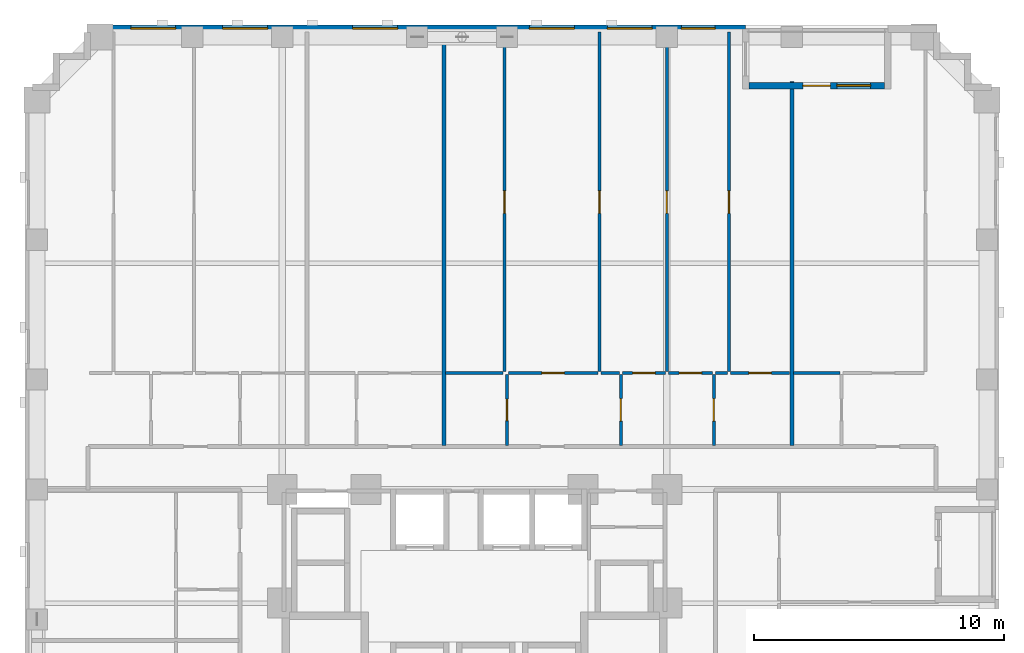
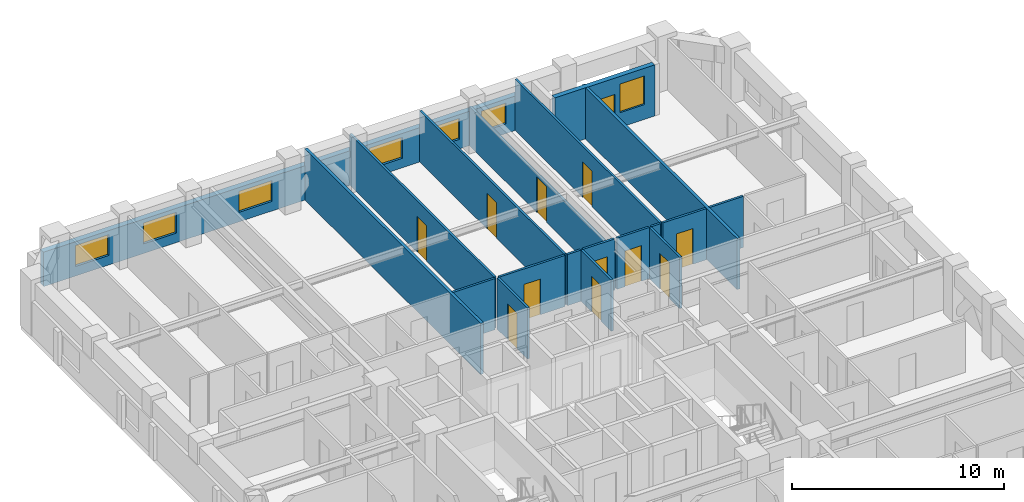
# One storey, part 8 of 14: 19 walls, 12 doors, 7 windows, 19 openings.
"""IFC4 building model written with IfcOpenShell, lengths in metres."""

from ifc_helpers import new_model, si_unit, derived_unit, direction, frame, frame_2d, origin, place, context, subcontext, project, spatial, rectangle, extrude, material, layer, layer_set, type_object, element, fill, save


model = new_model("IFC4")

# Units and contexts
model_context = context("Model", 3, precision=1e-05, world=origin(), true_north=direction((0.0, 1.0)))
body_context = subcontext(model_context, "Body", "Model", "MODEL_VIEW")
ifc_project = project(units=[si_unit("LENGTHUNIT", "METRE"), si_unit("AREAUNIT", "SQUARE_METRE"), si_unit("VOLUMEUNIT", "CUBIC_METRE"), si_unit("PLANEANGLEUNIT", "RADIAN"), si_unit("MASSUNIT", "GRAM", prefix="KILO"), derived_unit("THERMALTRANSMITTANCEUNIT", [(si_unit("MASSUNIT", "GRAM", prefix="KILO"), 1), (si_unit("TIMEUNIT", "SECOND"), -3), (si_unit("THERMODYNAMICTEMPERATUREUNIT", "KELVIN"), -1)])], contexts=[model_context])

# Site, building, storey
site_placement = place(None, origin())
site = spatial("IfcSite", under=ifc_project, at=site_placement, CompositionType="ELEMENT")
building_placement = place(site_placement, origin())
building = spatial("IfcBuilding", under=site, at=building_placement, Name="Korrvale Station Residences", CompositionType="ELEMENT")
storey_placement = place(building_placement, frame((0.0, 0.0, 61.0)))
storey = spatial("IfcBuildingStorey", under=building, at=storey_placement, Name="L16", CompositionType="ELEMENT", Elevation=61.0)

# Wall, openings, door, window
ifc_material_1 = material(Name="Precast concrete C45/55", Category="concrete")
ifc_layer_1 = layer(ifc_material_1, 0.260009765625, Name="Precast concrete C45/55")
ifc_layer_set_1 = layer_set([ifc_layer_1], Name="Precast concrete C45/55")
wall_type_1 = type_object("IfcWallType", Name="WAL-EXT-LOG260", PredefinedType="SOLIDWALL", material=ifc_layer_set_1)
wall_1_placement = place(storey_placement, frame((36.48388671875, 45.169921875, 0.0), z_axis=(0.0, 0.0, 1.0), x_axis=(1.0, 0.0, 0.0)))
wall_1 = element("IfcWall", 1, at=wall_1_placement, inside=storey, type_object=wall_type_1, Name="L16 Recessed Loggia Wall BAL-L16-N1-B", PredefinedType="SOLIDWALL", context=body_context, shape_type="SweptSolid", body=[
    extrude(rectangle(XDim=5.43212890625, YDim=0.260009765625, at=frame_2d((2.716064453125, 0.0))), origin(), (0.0, 0.0, 1.0), 2.93994140625),
])
opening_1_placement = place(wall_1_placement, frame((2.166015625, 0.0, 0.0)))
opening_1 = element("IfcOpeningElement", 2, at=opening_1_placement, cuts=wall_1, Name="Opening BD-01", PredefinedType="OPENING", context=body_context, shape_type="SweptSolid", body=[
    extrude(rectangle(XDim=1.10009765625, YDim=2.0, at=frame_2d((0.550048828125, 1.0))), frame((0.0, 0.14013671875, 0.0), z_axis=(0.0, -1.0, 0.0), x_axis=(1.0, 0.0, 0.0)), (0.0, 0.0, 1.0), 0.280029296875),
])
opening_2_placement = place(wall_1_placement, frame((3.52587890625, 0.0, 0.85009765625)))
opening_2 = element("IfcOpeningElement", 3, at=opening_2_placement, cuts=wall_1, Name="Opening W-06", PredefinedType="OPENING", context=body_context, shape_type="SweptSolid", body=[
    extrude(rectangle(XDim=1.35009765625, YDim=1.64990234375, at=frame_2d((0.675048828125, 0.824951171875))), frame((0.0, 0.14013671875, 0.0), z_axis=(0.0, -1.0, 0.0), x_axis=(1.0, 0.0, 0.0)), (0.0, 0.0, 1.0), 0.280029296875),
])
ifc_material_2 = material(Name="Exterior thermally broken aluminium glazed balcony door", Category="aluminium")
door_type_1 = type_object("IfcDoorType", Name="DR-EXT-BAL", OperationType="NOTDEFINED", PredefinedType="DOOR", material=ifc_material_2)
door_1_placement = place(opening_1_placement, origin())
door_1 = element("IfcDoor", 4, at=door_1_placement, inside=storey, type_object=door_type_1, Name="L16 Loggia Balcony Door BAL-L16-N1", OperationType="SINGLE_SWING_LEFT", OverallHeight=2.0, OverallWidth=1.10009765625, PredefinedType="DOOR", context=body_context, shape_type="SweptSolid", body=[
    extrude(rectangle(XDim=1.10009765625, YDim=2.0, at=frame_2d((0.550048828125, 1.0))), frame((0.0, 0.02490234375, 0.0), z_axis=(0.0, -1.0, 0.0), x_axis=(1.0, 0.0, 0.0)), (0.0, 0.0, 1.0), 0.050048828125),
])
fill(opening_1, door_1)
ifc_material_3 = material(Name="Thermally broken aluminium frame with triple low-e glazing", Category="aluminium")
window_type_1 = type_object("IfcWindowType", Name="WIN-W06", PartitioningType="SINGLE_PANEL", PredefinedType="WINDOW", material=ifc_material_3)
window_1_placement = place(opening_2_placement, origin())
window_1 = element("IfcWindow", 5, at=window_1_placement, inside=storey, type_object=window_type_1, Name="L16 Punched Window 22", OverallHeight=1.64990234375, OverallWidth=1.35009765625, PartitioningType="SINGLE_PANEL", PredefinedType="WINDOW", context=body_context, shape_type="SweptSolid", body=[
    extrude(rectangle(XDim=1.35009765625, YDim=1.64990234375, at=frame_2d((0.675048828125, 0.824951171875))), frame((0.0, 0.030029296875, 0.0), z_axis=(0.0, -1.0, 0.0), x_axis=(1.0, 0.0, 0.0)), (0.0, 0.0, 1.0), 0.06005859375),
])
fill(opening_2, window_1)

# Wall, openings, windows
ifc_layer_2 = layer(ifc_material_1, 0.300048828125, Name="Precast concrete C45/55")
ifc_layer_set_2 = layer_set([ifc_layer_2], Name="Precast concrete C45/55")
wall_type_2 = type_object("IfcWallType", Name="WAL-EXT-PC300", PredefinedType="SOLIDWALL", material=ifc_layer_set_2)
wall_2_placement = place(storey_placement, frame((10.0, 47.449951171875, 0.0), z_axis=(0.0, 0.0, 1.0), x_axis=(1.0, 0.0, 0.0)))
wall_2 = element("IfcWall", 6, at=wall_2_placement, inside=storey, type_object=wall_type_2, Name="L16 North Exterior Precast Wall 1", PredefinedType="SOLIDWALL", context=body_context, shape_type="SweptSolid", body=[
    extrude(rectangle(XDim=26.35009765625, YDim=0.300048828125, at=frame_2d((13.175048828125, 0.0))), origin(), (0.0, 0.0, 1.0), 1.97509765625),
])
opening_3_placement = place(wall_2_placement, frame((1.735107421875, 0.0, 0.550048828125)))
opening_3 = element("IfcOpeningElement", 7, at=opening_3_placement, cuts=wall_2, Name="Opening W-09", PredefinedType="OPENING", context=body_context, shape_type="SweptSolid", body=[
    extrude(rectangle(XDim=1.800048828125, YDim=1.199951171875, at=frame_2d((0.89990234375, 0.60009765625))), frame((0.0, 0.16015625, 0.0), z_axis=(0.0, -1.0, 0.0), x_axis=(1.0, 0.0, 0.0)), (0.0, 0.0, 1.0), 0.320068359375),
])
opening_4_placement = place(wall_2_placement, frame((5.4150390625, 0.0, 0.550048828125)))
opening_4 = element("IfcOpeningElement", 8, at=opening_4_placement, cuts=wall_2, Name="Opening W-09", PredefinedType="OPENING", context=body_context, shape_type="SweptSolid", body=[
    extrude(rectangle(XDim=1.800048828125, YDim=1.199951171875, at=frame_2d((0.89990234375, 0.60009765625))), frame((0.0, 0.16015625, 0.0), z_axis=(0.0, -1.0, 0.0), x_axis=(1.0, 0.0, 0.0)), (0.0, 0.0, 1.0), 0.320068359375),
])
opening_5_placement = place(wall_2_placement, frame((10.617919921875, 0.0, 0.550048828125)))
opening_5 = element("IfcOpeningElement", 9, at=opening_5_placement, cuts=wall_2, Name="Opening W-09", PredefinedType="OPENING", context=body_context, shape_type="SweptSolid", body=[
    extrude(rectangle(XDim=1.800048828125, YDim=1.199951171875, at=frame_2d((0.89990234375, 0.60009765625))), frame((0.0, 0.16015625, 0.0), z_axis=(0.0, -1.0, 0.0), x_axis=(1.0, 0.0, 0.0)), (0.0, 0.0, 1.0), 0.320068359375),
])
opening_6_placement = place(wall_2_placement, frame((17.696044921875, 0.0, 0.550048828125)))
opening_6 = element("IfcOpeningElement", 10, at=opening_6_placement, cuts=wall_2, Name="Opening W-09", PredefinedType="OPENING", context=body_context, shape_type="SweptSolid", body=[
    extrude(rectangle(XDim=1.800048828125, YDim=1.199951171875, at=frame_2d((0.89990234375, 0.60009765625))), frame((0.0, 0.16015625, 0.0), z_axis=(0.0, -1.0, 0.0), x_axis=(1.0, 0.0, 0.0)), (0.0, 0.0, 1.0), 0.320068359375),
])
opening_7_placement = place(wall_2_placement, frame((20.81494140625, 0.0, 0.550048828125)))
opening_7 = element("IfcOpeningElement", 11, at=opening_7_placement, cuts=wall_2, Name="Opening W-09", PredefinedType="OPENING", context=body_context, shape_type="SweptSolid", body=[
    extrude(rectangle(XDim=1.800048828125, YDim=1.199951171875, at=frame_2d((0.89990234375, 0.60009765625))), frame((0.0, 0.16015625, 0.0), z_axis=(0.0, -1.0, 0.0), x_axis=(1.0, 0.0, 0.0)), (0.0, 0.0, 1.0), 0.320068359375),
])
opening_8_placement = place(wall_2_placement, frame((23.784912109375, 0.0, 0.550048828125)))
opening_8 = element("IfcOpeningElement", 12, at=opening_8_placement, cuts=wall_2, Name="Opening W-10", PredefinedType="OPENING", context=body_context, shape_type="SweptSolid", body=[
    extrude(rectangle(XDim=1.35009765625, YDim=1.199951171875, at=frame_2d((0.675048828125, 0.60009765625))), frame((0.0, 0.16015625, 0.0), z_axis=(0.0, -1.0, 0.0), x_axis=(1.0, 0.0, 0.0)), (0.0, 0.0, 1.0), 0.320068359375),
])
window_type_2 = type_object("IfcWindowType", Name="WIN-W09", PartitioningType="DOUBLE_PANEL_VERTICAL", PredefinedType="WINDOW", material=ifc_material_3)
window_2_placement = place(opening_3_placement, origin())
window_2 = element("IfcWindow", 13, at=window_2_placement, inside=storey, type_object=window_type_2, Name="L16 Punched Window 15", OverallHeight=1.199951171875, OverallWidth=1.800048828125, PartitioningType="DOUBLE_PANEL_VERTICAL", PredefinedType="WINDOW", context=body_context, shape_type="SweptSolid", body=[
    extrude(rectangle(XDim=1.800048828125, YDim=1.199951171875, at=frame_2d((0.89990234375, 0.60009765625))), frame((0.0, 0.030029296875, 0.0), z_axis=(0.0, -1.0, 0.0), x_axis=(1.0, 0.0, 0.0)), (0.0, 0.0, 1.0), 0.06005859375),
])
fill(opening_3, window_2)
window_3_placement = place(opening_4_placement, origin())
window_3 = element("IfcWindow", 14, at=window_3_placement, inside=storey, type_object=window_type_2, Name="L16 Punched Window 16", OverallHeight=1.199951171875, OverallWidth=1.800048828125, PartitioningType="DOUBLE_PANEL_VERTICAL", PredefinedType="WINDOW", context=body_context, shape_type="SweptSolid", body=[
    extrude(rectangle(XDim=1.800048828125, YDim=1.199951171875, at=frame_2d((0.89990234375, 0.60009765625))), frame((0.0, 0.030029296875, 0.0), z_axis=(0.0, -1.0, 0.0), x_axis=(1.0, 0.0, 0.0)), (0.0, 0.0, 1.0), 0.06005859375),
])
fill(opening_4, window_3)
window_4_placement = place(opening_5_placement, origin())
window_4 = element("IfcWindow", 15, at=window_4_placement, inside=storey, type_object=window_type_2, Name="L16 Punched Window 17", OverallHeight=1.199951171875, OverallWidth=1.800048828125, PartitioningType="DOUBLE_PANEL_VERTICAL", PredefinedType="WINDOW", context=body_context, shape_type="SweptSolid", body=[
    extrude(rectangle(XDim=1.800048828125, YDim=1.199951171875, at=frame_2d((0.89990234375, 0.60009765625))), frame((0.0, 0.030029296875, 0.0), z_axis=(0.0, -1.0, 0.0), x_axis=(1.0, 0.0, 0.0)), (0.0, 0.0, 1.0), 0.06005859375),
])
fill(opening_5, window_4)
window_5_placement = place(opening_6_placement, origin())
window_5 = element("IfcWindow", 16, at=window_5_placement, inside=storey, type_object=window_type_2, Name="L16 Punched Window 18", OverallHeight=1.199951171875, OverallWidth=1.800048828125, PartitioningType="DOUBLE_PANEL_VERTICAL", PredefinedType="WINDOW", context=body_context, shape_type="SweptSolid", body=[
    extrude(rectangle(XDim=1.800048828125, YDim=1.199951171875, at=frame_2d((0.89990234375, 0.60009765625))), frame((0.0, 0.030029296875, 0.0), z_axis=(0.0, -1.0, 0.0), x_axis=(1.0, 0.0, 0.0)), (0.0, 0.0, 1.0), 0.06005859375),
])
fill(opening_6, window_5)
window_6_placement = place(opening_7_placement, origin())
window_6 = element("IfcWindow", 17, at=window_6_placement, inside=storey, type_object=window_type_2, Name="L16 Punched Window 19", OverallHeight=1.199951171875, OverallWidth=1.800048828125, PartitioningType="DOUBLE_PANEL_VERTICAL", PredefinedType="WINDOW", context=body_context, shape_type="SweptSolid", body=[
    extrude(rectangle(XDim=1.800048828125, YDim=1.199951171875, at=frame_2d((0.89990234375, 0.60009765625))), frame((0.0, 0.030029296875, 0.0), z_axis=(0.0, -1.0, 0.0), x_axis=(1.0, 0.0, 0.0)), (0.0, 0.0, 1.0), 0.06005859375),
])
fill(opening_7, window_6)
window_type_3 = type_object("IfcWindowType", Name="WIN-W10", PartitioningType="SINGLE_PANEL", PredefinedType="WINDOW", material=ifc_material_3)
window_7_placement = place(opening_8_placement, origin())
window_7 = element("IfcWindow", 18, at=window_7_placement, inside=storey, type_object=window_type_3, Name="L16 Punched Window 20", OverallHeight=1.199951171875, OverallWidth=1.35009765625, PartitioningType="SINGLE_PANEL", PredefinedType="WINDOW", context=body_context, shape_type="SweptSolid", body=[
    extrude(rectangle(XDim=1.35009765625, YDim=1.199951171875, at=frame_2d((0.675048828125, 0.60009765625))), frame((0.0, 0.030029296875, 0.0), z_axis=(0.0, -1.0, 0.0), x_axis=(1.0, 0.0, 0.0)), (0.0, 0.0, 1.0), 0.06005859375),
])
fill(opening_8, window_7)

# Wall, opening, door
ifc_material_4 = material(Name="Acoustic steel-stud gypsum board partition", Category="steel")
ifc_layer_3 = layer(ifc_material_4, 0.1201171875, Name="Acoustic steel-stud gypsum board partition")
ifc_layer_set_3 = layer_set([ifc_layer_3], Name="Acoustic steel-stud gypsum board partition")
wall_type_3 = type_object("IfcWallType", Name="WAL-PART-125", PredefinedType="PARTITIONING", material=ifc_layer_set_3)
wall_3_placement = place(storey_placement, frame((26.799072265625, 30.760009765625, 0.0), z_axis=(0.0, 0.0, 1.0), x_axis=(0.0, 1.0, 0.0)))
wall_3 = element("IfcWall", 19, at=wall_3_placement, inside=storey, type_object=wall_type_3, Name="L16 Suite Partition U05-V01", PredefinedType="PARTITIONING", context=body_context, shape_type="SweptSolid", body=[
    extrude(rectangle(XDim=2.85009765625, YDim=0.1201171875, at=frame_2d((1.425048828125, 0.0))), origin(), (0.0, 0.0, 1.0), 2.93994140625),
])
opening_9_placement = place(wall_3_placement, frame((0.9951171875, 0.0, 0.0)))
opening_9 = element("IfcOpeningElement", 20, at=opening_9_placement, cuts=wall_3, Name="Opening DB-860", PredefinedType="OPENING", context=body_context, shape_type="SweptSolid", body=[
    extrude(rectangle(XDim=0.860107421875, YDim=2.050048828125, at=frame_2d((0.43017578125, 1.02490234375))), frame((0.0, 0.070068359375, 0.0), z_axis=(0.0, -1.0, 0.0), x_axis=(1.0, 0.0, 0.0)), (0.0, 0.0, 1.0), 0.14013671875),
])
ifc_material_5 = material(Name="Moisture-resistant solid-core bathroom door", Category="timber")
door_type_2 = type_object("IfcDoorType", Name="DR-BATH-860", OperationType="NOTDEFINED", PredefinedType="DOOR", material=ifc_material_5)
door_2_placement = place(opening_9_placement, origin())
door_2 = element("IfcDoor", 21, at=door_2_placement, inside=storey, type_object=door_type_2, Name="L16 Apartment 3BR L16-U05 Bathroom Door", OperationType="SINGLE_SWING_RIGHT", OverallHeight=2.050048828125, OverallWidth=0.860107421875, PredefinedType="DOOR", context=body_context, shape_type="SweptSolid", body=[
    extrude(rectangle(XDim=0.860107421875, YDim=2.050048828125, at=frame_2d((0.43017578125, 1.02490234375))), frame((0.0, 0.02490234375, 0.0), z_axis=(0.0, -1.0, 0.0), x_axis=(1.0, 0.0, 0.0)), (0.0, 0.0, 1.0), 0.050048828125),
])
fill(opening_9, door_2)

# Wall
wall_4_placement = place(storey_placement, frame((24.339111328125, 33.669921875, 0.0), z_axis=(0.0, 0.0, 1.0), x_axis=(1.0, 0.0, 0.0)))
element("IfcWall", 22, at=wall_4_placement, inside=storey, type_object=wall_type_3, Name="L16 Suite Partition U05-H04", PredefinedType="PARTITIONING", context=body_context, shape_type="SweptSolid", body=[
    extrude(rectangle(XDim=2.2998046875, YDim=0.1201171875, at=frame_2d((1.14990234375, 0.0))), origin(), (0.0, 0.0, 1.0), 2.93994140625),
])

# Wall, opening, door
wall_5_placement = place(storey_placement, frame((31.35888671875, 30.760009765625, 0.0), z_axis=(0.0, 0.0, 1.0), x_axis=(0.0, 1.0, 0.0)))
wall_5 = element("IfcWall", 23, at=wall_5_placement, inside=storey, type_object=wall_type_3, Name="L16 Suite Partition U05-V12", PredefinedType="PARTITIONING", context=body_context, shape_type="SweptSolid", body=[
    extrude(rectangle(XDim=2.85009765625, YDim=0.1201171875, at=frame_2d((1.425048828125, 0.0))), origin(), (0.0, 0.0, 1.0), 2.93994140625),
])
opening_10_placement = place(wall_5_placement, frame((0.97509765625, 0.0, 0.0)))
opening_10 = element("IfcOpeningElement", 24, at=opening_10_placement, cuts=wall_5, Name="Opening DI-900", PredefinedType="OPENING", context=body_context, shape_type="SweptSolid", body=[
    extrude(rectangle(XDim=0.89990234375, YDim=2.050048828125, at=frame_2d((0.449951171875, 1.02490234375))), frame((0.0, 0.070068359375, 0.0), z_axis=(0.0, -1.0, 0.0), x_axis=(1.0, 0.0, 0.0)), (0.0, 0.0, 1.0), 0.14013671875),
])
ifc_material_6 = material(Name="Painted solid-core timber interior room door", Category="wood")
door_type_3 = type_object("IfcDoorType", Name="DR-INT-900", OperationType="NOTDEFINED", PredefinedType="DOOR", material=ifc_material_6)
door_3_placement = place(opening_10_placement, origin())
door_3 = element("IfcDoor", 25, at=door_3_placement, inside=storey, type_object=door_type_3, Name="L16 Apartment 3BR L16-U05 Kitchen Door", OperationType="SINGLE_SWING_LEFT", OverallHeight=2.050048828125, OverallWidth=0.89990234375, PredefinedType="DOOR", context=body_context, shape_type="SweptSolid", body=[
    extrude(rectangle(XDim=0.89990234375, YDim=2.050048828125, at=frame_2d((0.449951171875, 1.02490234375))), frame((0.0, 0.02490234375, 0.0), z_axis=(0.0, -1.0, 0.0), x_axis=(1.0, 0.0, 0.0)), (0.0, 0.0, 1.0), 0.050048828125),
])
fill(opening_10, door_3)

wall_6_placement = place(storey_placement, frame((26.85888671875, 33.669921875, 0.0), z_axis=(0.0, 0.0, 1.0), x_axis=(1.0, 0.0, 0.0)))
wall_6 = element("IfcWall", 26, at=wall_6_placement, inside=storey, type_object=wall_type_3, Name="L16 Suite Partition U05-H15", PredefinedType="PARTITIONING", context=body_context, shape_type="SweptSolid", body=[
    extrude(rectangle(XDim=3.580078125, YDim=0.1201171875, at=frame_2d((1.7900390625, 0.0))), origin(), (0.0, 0.0, 1.0), 2.93994140625),
])
opening_11_placement = place(wall_6_placement, frame((1.340087890625, 0.0, 0.0)))
opening_11 = element("IfcOpeningElement", 27, at=opening_11_placement, cuts=wall_6, Name="Opening DI-900", PredefinedType="OPENING", context=body_context, shape_type="SweptSolid", body=[
    extrude(rectangle(XDim=0.89990234375, YDim=2.050048828125, at=frame_2d((0.449951171875, 1.02490234375))), frame((0.0, 0.070068359375, 0.0), z_axis=(0.0, -1.0, 0.0), x_axis=(1.0, 0.0, 0.0)), (0.0, 0.0, 1.0), 0.14013671875),
])
door_4_placement = place(opening_11_placement, origin())
door_4 = element("IfcDoor", 28, at=door_4_placement, inside=storey, type_object=door_type_3, Name="L16 Apartment 3BR L16-U05 Kitchen Door", OperationType="SINGLE_SWING_RIGHT", OverallHeight=2.050048828125, OverallWidth=0.89990234375, PredefinedType="DOOR", context=body_context, shape_type="SweptSolid", body=[
    extrude(rectangle(XDim=0.89990234375, YDim=2.050048828125, at=frame_2d((0.449951171875, 1.02490234375))), frame((0.0, 0.02490234375, 0.0), z_axis=(0.0, -1.0, 0.0), x_axis=(1.0, 0.0, 0.0)), (0.0, 0.0, 1.0), 0.050048828125),
])
fill(opening_11, door_4)

# Wall
wall_7_placement = place(storey_placement, frame((30.55908203125, 33.669921875, 0.0), z_axis=(0.0, 0.0, 1.0), x_axis=(1.0, 0.0, 0.0)))
element("IfcWall", 29, at=wall_7_placement, inside=storey, type_object=wall_type_3, Name="L16 Suite Partition U05-H16", PredefinedType="PARTITIONING", context=body_context, shape_type="SweptSolid", body=[
    extrude(rectangle(XDim=0.739990234375, YDim=0.1201171875, at=frame_2d((0.3701171875, 0.0))), origin(), (0.0, 0.0, 1.0), 2.93994140625),
])

# Wall, opening, door
wall_8_placement = place(storey_placement, frame((35.0791015625, 30.760009765625, 0.0), z_axis=(0.0, 0.0, 1.0), x_axis=(0.0, 1.0, 0.0)))
wall_8 = element("IfcWall", 30, at=wall_8_placement, inside=storey, type_object=wall_type_3, Name="L16 Suite Partition U05-V23", PredefinedType="PARTITIONING", context=body_context, shape_type="SweptSolid", body=[
    extrude(rectangle(XDim=2.85009765625, YDim=0.1201171875, at=frame_2d((1.425048828125, 0.0))), origin(), (0.0, 0.0, 1.0), 2.93994140625),
])
opening_12_placement = place(wall_8_placement, frame((0.97509765625, 0.0, 0.0)))
opening_12 = element("IfcOpeningElement", 31, at=opening_12_placement, cuts=wall_8, Name="Opening DI-900", PredefinedType="OPENING", context=body_context, shape_type="SweptSolid", body=[
    extrude(rectangle(XDim=0.89990234375, YDim=2.050048828125, at=frame_2d((0.449951171875, 1.02490234375))), frame((0.0, 0.070068359375, 0.0), z_axis=(0.0, -1.0, 0.0), x_axis=(1.0, 0.0, 0.0)), (0.0, 0.0, 1.0), 0.14013671875),
])
door_5_placement = place(opening_12_placement, origin())
door_5 = element("IfcDoor", 32, at=door_5_placement, inside=storey, type_object=door_type_3, Name="L16 Apartment 3BR L16-U05 Utility and Laundry Room Door", OperationType="SINGLE_SWING_LEFT", OverallHeight=2.050048828125, OverallWidth=0.89990234375, PredefinedType="DOOR", context=body_context, shape_type="SweptSolid", body=[
    extrude(rectangle(XDim=0.89990234375, YDim=2.050048828125, at=frame_2d((0.449951171875, 1.02490234375))), frame((0.0, 0.02490234375, 0.0), z_axis=(0.0, -1.0, 0.0), x_axis=(1.0, 0.0, 0.0)), (0.0, 0.0, 1.0), 0.050048828125),
])
fill(opening_12, door_5)

wall_9_placement = place(storey_placement, frame((31.4189453125, 33.669921875, 0.0), z_axis=(0.0, 0.0, 1.0), x_axis=(1.0, 0.0, 0.0)))
wall_9 = element("IfcWall", 33, at=wall_9_placement, inside=storey, type_object=wall_type_3, Name="L16 Suite Partition U05-H26", PredefinedType="PARTITIONING", context=body_context, shape_type="SweptSolid", body=[
    extrude(rectangle(XDim=1.720947265625, YDim=0.1201171875, at=frame_2d((0.8603515625, 0.0))), origin(), (0.0, 0.0, 1.0), 2.93994140625),
])
opening_13_placement = place(wall_9_placement, frame((0.410888671875, 0.0, 0.0)))
opening_13 = element("IfcOpeningElement", 34, at=opening_13_placement, cuts=wall_9, Name="Opening DI-900", PredefinedType="OPENING", context=body_context, shape_type="SweptSolid", body=[
    extrude(rectangle(XDim=0.89990234375, YDim=2.050048828125, at=frame_2d((0.449951171875, 1.02490234375))), frame((0.0, 0.070068359375, 0.0), z_axis=(0.0, -1.0, 0.0), x_axis=(1.0, 0.0, 0.0)), (0.0, 0.0, 1.0), 0.14013671875),
])
door_6_placement = place(opening_13_placement, origin())
door_6 = element("IfcDoor", 35, at=door_6_placement, inside=storey, type_object=door_type_3, Name="L16 Apartment 3BR L16-U05 Utility and Laundry Room Door", OperationType="SINGLE_SWING_RIGHT", OverallHeight=2.050048828125, OverallWidth=0.89990234375, PredefinedType="DOOR", context=body_context, shape_type="SweptSolid", body=[
    extrude(rectangle(XDim=0.89990234375, YDim=2.050048828125, at=frame_2d((0.449951171875, 1.02490234375))), frame((0.0, 0.02490234375, 0.0), z_axis=(0.0, -1.0, 0.0), x_axis=(1.0, 0.0, 0.0)), (0.0, 0.0, 1.0), 0.050048828125),
])
fill(opening_13, door_6)

wall_10_placement = place(storey_placement, frame((33.260009765625, 33.669921875, 0.0), z_axis=(0.0, 0.0, 1.0), x_axis=(1.0, 0.0, 0.0)))
wall_10 = element("IfcWall", 36, at=wall_10_placement, inside=storey, type_object=wall_type_3, Name="L16 Suite Partition U05-H27", PredefinedType="PARTITIONING", context=body_context, shape_type="SweptSolid", body=[
    extrude(rectangle(XDim=1.759033203125, YDim=0.1201171875, at=frame_2d((0.87939453125, 0.0))), origin(), (0.0, 0.0, 1.0), 2.93994140625),
])
opening_14_placement = place(wall_10_placement, frame((0.428955078125, 0.0, 0.0)))
opening_14 = element("IfcOpeningElement", 37, at=opening_14_placement, cuts=wall_10, Name="Opening DI-900", PredefinedType="OPENING", context=body_context, shape_type="SweptSolid", body=[
    extrude(rectangle(XDim=0.89990234375, YDim=2.050048828125, at=frame_2d((0.449951171875, 1.02490234375))), frame((0.0, 0.070068359375, 0.0), z_axis=(0.0, -1.0, 0.0), x_axis=(1.0, 0.0, 0.0)), (0.0, 0.0, 1.0), 0.14013671875),
])
door_7_placement = place(opening_14_placement, origin())
door_7 = element("IfcDoor", 38, at=door_7_placement, inside=storey, type_object=door_type_3, Name="L16 Apartment 3BR L16-U05 Utility and Laundry Room Door", OperationType="SINGLE_SWING_LEFT", OverallHeight=2.050048828125, OverallWidth=0.89990234375, PredefinedType="DOOR", context=body_context, shape_type="SweptSolid", body=[
    extrude(rectangle(XDim=0.89990234375, YDim=2.050048828125, at=frame_2d((0.449951171875, 1.02490234375))), frame((0.0, 0.02490234375, 0.0), z_axis=(0.0, -1.0, 0.0), x_axis=(1.0, 0.0, 0.0)), (0.0, 0.0, 1.0), 0.050048828125),
])
fill(opening_14, door_7)

# Wall
wall_11_placement = place(storey_placement, frame((35.138916015625, 33.669921875, 0.0), z_axis=(0.0, 0.0, 1.0), x_axis=(1.0, 0.0, 0.0)))
element("IfcWall", 39, at=wall_11_placement, inside=storey, type_object=wall_type_3, Name="L16 Suite Partition U05-H37", PredefinedType="PARTITIONING", context=body_context, shape_type="SweptSolid", body=[
    extrude(rectangle(XDim=0.490966796875, YDim=0.1201171875, at=frame_2d((0.24560546875, 0.0))), origin(), (0.0, 0.0, 1.0), 2.93994140625),
])

# Wall, opening, door
wall_12_placement = place(storey_placement, frame((35.75, 33.669921875, 0.0), z_axis=(0.0, 0.0, 1.0), x_axis=(1.0, 0.0, 0.0)))
wall_12 = element("IfcWall", 40, at=wall_12_placement, inside=storey, type_object=wall_type_3, Name="L16 Suite Partition U05-H38", PredefinedType="PARTITIONING", context=body_context, shape_type="SweptSolid", body=[
    extrude(rectangle(XDim=2.3701171875, YDim=0.1201171875, at=frame_2d((1.18505859375, 0.0))), origin(), (0.0, 0.0, 1.0), 2.93994140625),
])
opening_15_placement = place(wall_12_placement, frame((0.735107421875, 0.0, 0.0)))
opening_15 = element("IfcOpeningElement", 41, at=opening_15_placement, cuts=wall_12, Name="Opening DI-900", PredefinedType="OPENING", context=body_context, shape_type="SweptSolid", body=[
    extrude(rectangle(XDim=0.89990234375, YDim=2.050048828125, at=frame_2d((0.449951171875, 1.02490234375))), frame((0.0, 0.070068359375, 0.0), z_axis=(0.0, -1.0, 0.0), x_axis=(1.0, 0.0, 0.0)), (0.0, 0.0, 1.0), 0.14013671875),
])
door_8_placement = place(opening_15_placement, origin())
door_8 = element("IfcDoor", 42, at=door_8_placement, inside=storey, type_object=door_type_3, Name="L16 Apartment 3BR L16-U05 Storage Closet 2 Door", OperationType="SINGLE_SWING_RIGHT", OverallHeight=2.050048828125, OverallWidth=0.89990234375, PredefinedType="DOOR", context=body_context, shape_type="SweptSolid", body=[
    extrude(rectangle(XDim=0.89990234375, YDim=2.050048828125, at=frame_2d((0.449951171875, 1.02490234375))), frame((0.0, 0.02490234375, 0.0), z_axis=(0.0, -1.0, 0.0), x_axis=(1.0, 0.0, 0.0)), (0.0, 0.0, 1.0), 0.050048828125),
])
fill(opening_15, door_8)

wall_13_placement = place(storey_placement, frame((26.698974609375, 33.72998046875, 0.0), z_axis=(0.0, 0.0, 1.0), x_axis=(0.0, 1.0, 0.0)))
wall_13 = element("IfcWall", 43, at=wall_13_placement, inside=storey, type_object=wall_type_3, Name="L16 Suite Partition U05-V45", PredefinedType="PARTITIONING", context=body_context, shape_type="SweptSolid", body=[
    extrude(rectangle(XDim=13.590087890625, YDim=0.1201171875, at=frame_2d((6.794921875, 0.0))), origin(), (0.0, 0.0, 1.0), 2.93994140625),
])
opening_16_placement = place(wall_13_placement, frame((6.330078125, 0.0, 0.0)))
opening_16 = element("IfcOpeningElement", 44, at=opening_16_placement, cuts=wall_13, Name="Opening DI-900", PredefinedType="OPENING", context=body_context, shape_type="SweptSolid", body=[
    extrude(rectangle(XDim=0.89990234375, YDim=2.050048828125, at=frame_2d((0.449951171875, 1.02490234375))), frame((0.0, 0.070068359375, 0.0), z_axis=(0.0, -1.0, 0.0), x_axis=(1.0, 0.0, 0.0)), (0.0, 0.0, 1.0), 0.14013671875),
])
door_9_placement = place(opening_16_placement, origin())
door_9 = element("IfcDoor", 45, at=door_9_placement, inside=storey, type_object=door_type_3, Name="L16 Apartment 3BR L16-U05 Wardrobe Storage Room Door", OperationType="SINGLE_SWING_LEFT", OverallHeight=2.050048828125, OverallWidth=0.89990234375, PredefinedType="DOOR", context=body_context, shape_type="SweptSolid", body=[
    extrude(rectangle(XDim=0.89990234375, YDim=2.050048828125, at=frame_2d((0.449951171875, 1.02490234375))), frame((0.0, 0.02490234375, 0.0), z_axis=(0.0, -1.0, 0.0), x_axis=(1.0, 0.0, 0.0)), (0.0, 0.0, 1.0), 0.050048828125),
])
fill(opening_16, door_9)

wall_14_placement = place(storey_placement, frame((30.4990234375, 33.72998046875, 0.0), z_axis=(0.0, 0.0, 1.0), x_axis=(0.0, 1.0, 0.0)))
wall_14 = element("IfcWall", 46, at=wall_14_placement, inside=storey, type_object=wall_type_3, Name="L16 Suite Partition U05-V56", PredefinedType="PARTITIONING", context=body_context, shape_type="SweptSolid", body=[
    extrude(rectangle(XDim=13.590087890625, YDim=0.1201171875, at=frame_2d((6.794921875, 0.0))), origin(), (0.0, 0.0, 1.0), 2.93994140625),
])
opening_17_placement = place(wall_14_placement, frame((6.330078125, 0.0, 0.0)))
opening_17 = element("IfcOpeningElement", 47, at=opening_17_placement, cuts=wall_14, Name="Opening DI-900", PredefinedType="OPENING", context=body_context, shape_type="SweptSolid", body=[
    extrude(rectangle(XDim=0.89990234375, YDim=2.050048828125, at=frame_2d((0.449951171875, 1.02490234375))), frame((0.0, 0.070068359375, 0.0), z_axis=(0.0, -1.0, 0.0), x_axis=(1.0, 0.0, 0.0)), (0.0, 0.0, 1.0), 0.14013671875),
])
door_10_placement = place(opening_17_placement, origin())
door_10 = element("IfcDoor", 48, at=door_10_placement, inside=storey, type_object=door_type_3, Name="L16 Apartment 3BR L16-U05 Living and Dining Room Door", OperationType="SINGLE_SWING_RIGHT", OverallHeight=2.050048828125, OverallWidth=0.89990234375, PredefinedType="DOOR", context=body_context, shape_type="SweptSolid", body=[
    extrude(rectangle(XDim=0.89990234375, YDim=2.050048828125, at=frame_2d((0.449951171875, 1.02490234375))), frame((0.0, 0.02490234375, 0.0), z_axis=(0.0, -1.0, 0.0), x_axis=(1.0, 0.0, 0.0)), (0.0, 0.0, 1.0), 0.050048828125),
])
fill(opening_17, door_10)

wall_15_placement = place(storey_placement, frame((33.199951171875, 33.72998046875, 0.0), z_axis=(0.0, 0.0, 1.0), x_axis=(0.0, 1.0, 0.0)))
wall_15 = element("IfcWall", 49, at=wall_15_placement, inside=storey, type_object=wall_type_3, Name="L16 Suite Partition U05-V67", PredefinedType="PARTITIONING", context=body_context, shape_type="SweptSolid", body=[
    extrude(rectangle(XDim=13.590087890625, YDim=0.1201171875, at=frame_2d((6.794921875, 0.0))), origin(), (0.0, 0.0, 1.0), 2.23193359375),
])
opening_18_placement = place(wall_15_placement, frame((6.330078125, 0.0, 0.0)))
opening_18 = element("IfcOpeningElement", 50, at=opening_18_placement, cuts=wall_15, Name="Opening DI-900", PredefinedType="OPENING", context=body_context, shape_type="SweptSolid", body=[
    extrude(rectangle(XDim=0.89990234375, YDim=2.050048828125, at=frame_2d((0.449951171875, 1.02490234375))), frame((0.0, 0.070068359375, 0.0), z_axis=(0.0, -1.0, 0.0), x_axis=(1.0, 0.0, 0.0)), (0.0, 0.0, 1.0), 0.14013671875),
])
door_11_placement = place(opening_18_placement, origin())
door_11 = element("IfcDoor", 51, at=door_11_placement, inside=storey, type_object=door_type_3, Name="L16 Apartment 3BR L16-U05 Bedroom 1 Door", OperationType="SINGLE_SWING_LEFT", OverallHeight=2.050048828125, OverallWidth=0.89990234375, PredefinedType="DOOR", context=body_context, shape_type="SweptSolid", body=[
    extrude(rectangle(XDim=0.89990234375, YDim=2.050048828125, at=frame_2d((0.449951171875, 1.02490234375))), frame((0.0, 0.02490234375, 0.0), z_axis=(0.0, -1.0, 0.0), x_axis=(1.0, 0.0, 0.0)), (0.0, 0.0, 1.0), 0.050048828125),
])
fill(opening_18, door_11)

wall_16_placement = place(storey_placement, frame((35.68994140625, 33.72998046875, 0.0), z_axis=(0.0, 0.0, 1.0), x_axis=(0.0, 1.0, 0.0)))
wall_16 = element("IfcWall", 52, at=wall_16_placement, inside=storey, type_object=wall_type_3, Name="L16 Suite Partition U05-V78", PredefinedType="PARTITIONING", context=body_context, shape_type="SweptSolid", body=[
    extrude(rectangle(XDim=13.590087890625, YDim=0.1201171875, at=frame_2d((6.794921875, 0.0))), origin(), (0.0, 0.0, 1.0), 2.93994140625),
])
opening_19_placement = place(wall_16_placement, frame((6.330078125, 0.0, 0.0)))
opening_19 = element("IfcOpeningElement", 53, at=opening_19_placement, cuts=wall_16, Name="Opening DI-900", PredefinedType="OPENING", context=body_context, shape_type="SweptSolid", body=[
    extrude(rectangle(XDim=0.89990234375, YDim=2.050048828125, at=frame_2d((0.449951171875, 1.02490234375))), frame((0.0, 0.070068359375, 0.0), z_axis=(0.0, -1.0, 0.0), x_axis=(1.0, 0.0, 0.0)), (0.0, 0.0, 1.0), 0.14013671875),
])
door_12_placement = place(opening_19_placement, origin())
door_12 = element("IfcDoor", 54, at=door_12_placement, inside=storey, type_object=door_type_3, Name="L16 Apartment 3BR L16-U05 Bedroom 2 Door", OperationType="SINGLE_SWING_RIGHT", OverallHeight=2.050048828125, OverallWidth=0.89990234375, PredefinedType="DOOR", context=body_context, shape_type="SweptSolid", body=[
    extrude(rectangle(XDim=0.89990234375, YDim=2.050048828125, at=frame_2d((0.449951171875, 1.02490234375))), frame((0.0, 0.02490234375, 0.0), z_axis=(0.0, -1.0, 0.0), x_axis=(1.0, 0.0, 0.0)), (0.0, 0.0, 1.0), 0.050048828125),
])
fill(opening_19, door_12)

# Walls
wall_17_placement = place(storey_placement, frame((38.280029296875, 33.669921875, 0.0), z_axis=(0.0, 0.0, 1.0), x_axis=(1.0, 0.0, 0.0)))
element("IfcWall", 55, at=wall_17_placement, inside=storey, type_object=wall_type_3, Name="L16 Suite Partition U06-H02", PredefinedType="PARTITIONING", context=body_context, shape_type="SweptSolid", body=[
    extrude(rectangle(XDim=1.849853515625, YDim=0.1201171875, at=frame_2d((0.9248046875, 0.0))), origin(), (0.0, 0.0, 1.0), 2.93994140625),
])
ifc_material_7 = material(Name="Fire-rated twin-stud gypsum and mineral wool shaftwall assembly", Category="gypsum")
ifc_layer_4 = layer(ifc_material_7, 0.159912109375, Name="Fire-rated twin-stud gypsum and mineral wool shaftwall assembly")
ifc_layer_set_4 = layer_set([ifc_layer_4], Name="Fire-rated twin-stud gypsum and mineral wool shaftwall assembly")
wall_type_4 = type_object("IfcWallType", Name="WAL-PART-200", PredefinedType="PARTITIONING", material=ifc_layer_set_4)
wall_18_placement = place(storey_placement, frame((24.279052734375, 30.760009765625, 0.0), z_axis=(0.0, 0.0, 1.0), x_axis=(0.0, 1.0, 0.0)))
element("IfcWall", 56, at=wall_18_placement, inside=storey, type_object=wall_type_4, Name="L16 Demising Wall U05-W", PredefinedType="PARTITIONING", context=body_context, shape_type="SweptSolid", body=[
    extrude(rectangle(XDim=16.56005859375, YDim=0.159912109375, at=frame_2d((8.280029296875, 0.0))), origin(), (0.0, 0.0, 1.0), 2.93994140625),
])
wall_19_placement = place(storey_placement, frame((38.219970703125, 30.760009765625, 0.0), z_axis=(0.0, 0.0, 1.0), x_axis=(0.0, 1.0, 0.0)))
element("IfcWall", 57, at=wall_19_placement, inside=storey, type_object=wall_type_4, Name="L16 Demising Wall U06-W", PredefinedType="PARTITIONING", context=body_context, shape_type="SweptSolid", body=[
    extrude(rectangle(XDim=14.580078125, YDim=0.159912109375, at=frame_2d((7.2900390625, 0.0))), origin(), (0.0, 0.0, 1.0), 2.93994140625),
])

save(model, "model.ifc")
